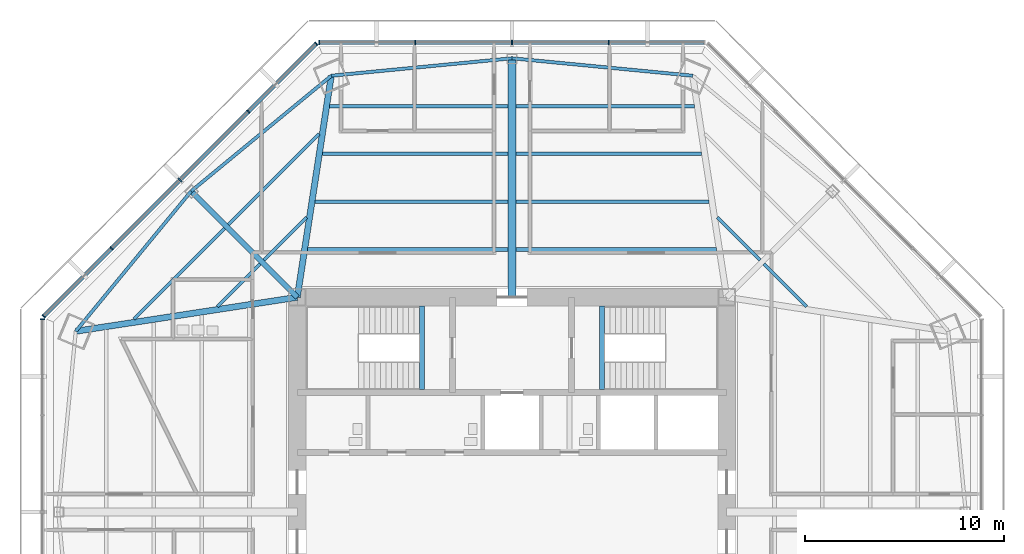
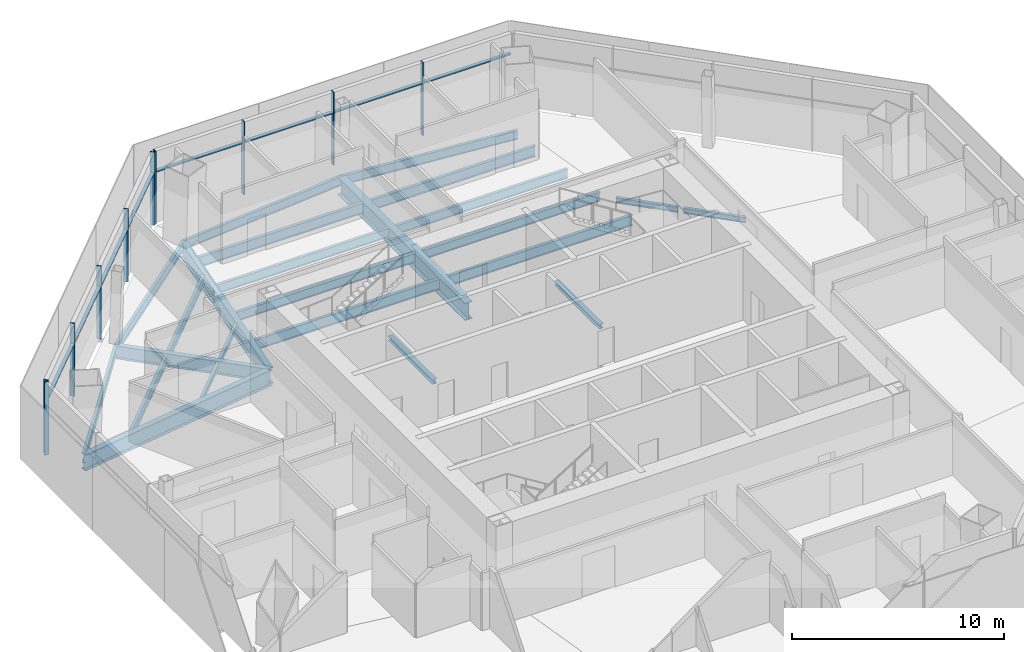
# One storey, part 5 of 15: 24 beams, 18 members, 3 elements without a shape of their own.
"""IFC4 building model written with IfcOpenShell, lengths in metres."""

from ifc_helpers import new_model, si_unit, direction, frame, origin, origin_2d, place, context, subcontext, project, spatial, rectangle, i_section, extrude, source, transform, mapped, material, material_profile, profile_set, type_object, type_shapes, element, aggregate, save


model = new_model("IFC4")

# Units and contexts
model_context = context("Model", 3, precision=1e-05, world=origin(), true_north=direction((0.0, 1.0)))
body_context = subcontext(model_context, "Body", "Model", "MODEL_VIEW")
ifc_project = project(units=[si_unit("LENGTHUNIT", "METRE"), si_unit("AREAUNIT", "SQUARE_METRE"), si_unit("VOLUMEUNIT", "CUBIC_METRE"), si_unit("PLANEANGLEUNIT", "RADIAN"), si_unit("MASSUNIT", "GRAM", prefix="KILO")], contexts=[model_context])

# Site, building, storey
site_placement = place(None, origin())
site = spatial("IfcSite", under=ifc_project, at=site_placement, CompositionType="ELEMENT")
building_placement = place(site_placement, origin())
building = spatial("IfcBuilding", under=site, at=building_placement, Name="Mashrafa Tower", CompositionType="ELEMENT")
storey_placement = place(building_placement, frame((0.0, 0.0, 155.39990234375)))
storey = spatial("IfcBuildingStorey", under=building, at=storey_placement, Name="L35", CompositionType="ELEMENT", Elevation=155.39990234375)

# Beams
ifc_material_1 = material(Name="Steel ASTM A992", Category="steel")
ifc_material_profile_1 = material_profile(ifc_material_1, i_section(OverallWidth=0.164794921875, OverallDepth=0.309814453125, WebThickness=0.005859375, FlangeThickness=0.009765625, FilletRadius=0.007568359375, at=origin_2d()), Name="W12X26")
ifc_profile_set_1 = profile_set([ifc_material_profile_1], Name="Steel ASTM A992")
beam_type_1 = type_object("IfcBeamType", Name="Beam W12X26", PredefinedType="BEAM", material=ifc_profile_set_1)
for number, where, z_axis, x_axis, name in (
    (1, (-14.8203125, 10.338623046875, -0.31982421875), (0.707106781187, 0.707106781187, 0.0), (-0.707106781187, 0.707106781187, 0.0), "Floor beam L35 008"),
    (2, (-12.485107421875, 12.673828125, -0.31982421875), (0.707106781187, 0.707106781187, 0.0), (-0.707106781187, 0.707106781187, 0.0), "Floor beam L35 014"),
    (3, (10.338623046875, 14.8203125, -0.31982421875), (0.707106781187, -0.707106781187, 0.0), (0.707106781187, 0.707106781187, 0.0), "Floor beam L35 033"),
    (4, (12.673828125, 12.485107421875, -0.31982421875), (0.707106781187, -0.707106781187, 0.0), (0.707106781187, 0.707106781187, 0.0), "Floor beam L35 036"),
):
    element("IfcBeam", number, at=place(storey_placement, frame(where, z_axis=z_axis, x_axis=x_axis)), inside=storey, type_object=beam_type_1, Name=name, PredefinedType="BEAM", context=body_context, shape_type="SweptSolid", body=[
        extrude(i_section(OverallWidth=0.164794921875, OverallDepth=0.309814453125, WebThickness=0.005859375, FlangeThickness=0.009765625, FilletRadius=0.007568359375, at=origin_2d()), origin(), (0.0, 0.0, 1.0), 3.03564453125),
    ])
ifc_material_2 = material(Name="Steel ASTM A992", Category="steel")
ifc_material_profile_2 = material_profile(ifc_material_2, i_section(OverallWidth=0.1650390625, OverallDepth=0.52587890625, WebThickness=0.0087890625, FlangeThickness=0.011474609375, FilletRadius=0.0126953125, at=origin_2d()), Name="W21X44")
ifc_profile_set_2 = profile_set([ifc_material_profile_2], Name="Steel ASTM A992")
beam_type_2 = type_object("IfcBeamType", Name="Beam W21X44", PredefinedType="BEAM", material=ifc_profile_set_2)
for number, where, z_axis, x_axis, name in (
    (5, (-19.0244140625, 9.693603515625, -0.427734375), (0.707106781187, 0.707106781187, 0.0), (-0.707106781187, 0.707106781187, 0.0), "Floor beam L35 003"),
    (6, (-14.2646484375, 14.453369140625, -0.427734375), (0.707106781187, 0.707106781187, 0.0), (-0.707106781187, 0.707106781187, 0.0), "Floor beam L35 010"),
):
    element("IfcBeam", number, at=place(storey_placement, frame(where, z_axis=z_axis, x_axis=x_axis)), inside=storey, type_object=beam_type_2, Name=name, PredefinedType="BEAM", context=body_context, shape_type="SweptSolid", body=[
        extrude(i_section(OverallWidth=0.1650390625, OverallDepth=0.52587890625, WebThickness=0.0087890625, FlangeThickness=0.011474609375, FilletRadius=0.0126953125, at=origin_2d()), origin(), (0.0, 0.0, 1.0), 6.46435546875),
    ])
beam_1_placement = place(storey_placement, frame((-9.906494140625, 15.609375, -0.427734375), z_axis=(1.0, 0.0, 0.0), x_axis=(0.0, 1.0, 0.0)))
element("IfcBeam", 7, at=beam_1_placement, inside=storey, type_object=beam_type_2, Name="Floor beam L35 017", PredefinedType="BEAM", context=body_context, shape_type="SweptSolid", body=[
    extrude(i_section(OverallWidth=0.1650390625, OverallDepth=0.52587890625, WebThickness=0.0087890625, FlangeThickness=0.011474609375, FilletRadius=0.0126953125, at=origin_2d()), origin(), (0.0, 0.0, 1.0), 9.705810546875),
])
beam_2_placement = place(storey_placement, frame((-9.53759765625, 18.013916015625, -0.427734375), z_axis=(1.0, 0.0, 0.0), x_axis=(0.0, 1.0, 0.0)))
element("IfcBeam", 8, at=beam_2_placement, inside=storey, type_object=beam_type_2, Name="Floor beam L35 018", PredefinedType="BEAM", context=body_context, shape_type="SweptSolid", body=[
    extrude(i_section(OverallWidth=0.1650390625, OverallDepth=0.52587890625, WebThickness=0.0087890625, FlangeThickness=0.011474609375, FilletRadius=0.0126953125, at=origin_2d()), origin(), (0.0, 0.0, 1.0), 9.3369140625),
])
beam_3_placement = place(storey_placement, frame((0.20068359375, 15.609375, -0.427734375), z_axis=(1.0, 0.0, 0.0), x_axis=(0.0, 1.0, 0.0)))
element("IfcBeam", 9, at=beam_3_placement, inside=storey, type_object=beam_type_2, Name="Floor beam L35 026", PredefinedType="BEAM", context=body_context, shape_type="SweptSolid", body=[
    extrude(i_section(OverallWidth=0.1650390625, OverallDepth=0.52587890625, WebThickness=0.0087890625, FlangeThickness=0.011474609375, FilletRadius=0.0126953125, at=origin_2d()), origin(), (0.0, 0.0, 1.0), 9.705810546875),
])
beam_4_placement = place(storey_placement, frame((0.20068359375, 18.013916015625, -0.427734375), z_axis=(1.0, 0.0, 0.0), x_axis=(0.0, 1.0, 0.0)))
element("IfcBeam", 10, at=beam_4_placement, inside=storey, type_object=beam_type_2, Name="Floor beam L35 027", PredefinedType="BEAM", context=body_context, shape_type="SweptSolid", body=[
    extrude(i_section(OverallWidth=0.1650390625, OverallDepth=0.52587890625, WebThickness=0.0087890625, FlangeThickness=0.011474609375, FilletRadius=0.0126953125, at=origin_2d()), origin(), (0.0, 0.0, 1.0), 9.3369140625),
])
for number, where, z_axis, x_axis, name in (
    (11, (-16.138427734375, 16.138427734375, -0.427734375), (-0.635845929647, -0.771816010297, 0.0), (0.771816010297, -0.635845929647, 0.0), "Spandrel beam L35 069"),
    (12, (-9.090087890625, 21.945068359375, -0.427734375), (-0.771816010297, -0.635845929647, 0.0), (0.635845929647, -0.771816010297, 0.0), "Spandrel beam L35 071"),
):
    element("IfcBeam", number, at=place(storey_placement, frame(where, z_axis=z_axis, x_axis=x_axis)), inside=storey, type_object=beam_type_2, Name=name, PredefinedType="BEAM", context=body_context, shape_type="SweptSolid", body=[
        extrude(i_section(OverallWidth=0.1650390625, OverallDepth=0.52587890625, WebThickness=0.0087890625, FlangeThickness=0.011474609375, FilletRadius=0.0126953125, at=origin_2d()), origin(), (0.0, 0.0, 1.0), 9.132080078125),
    ])
for number, where, z_axis, x_axis, name in (
    (13, (0.0, 22.8232421875, -0.427734375), (-0.995365874736, -0.096160155008, 0.0), (0.096160155008, -0.995365874736, 0.0), "Spandrel beam L35 073"),
    (14, (9.090087890625, 21.945068359375, -0.427734375), (-0.995365874736, 0.096160155008, 0.0), (-0.096160155008, -0.995365874736, 0.0), "Spandrel beam L35 075"),
):
    element("IfcBeam", number, at=place(storey_placement, frame(where, z_axis=z_axis, x_axis=x_axis)), inside=storey, type_object=beam_type_2, Name=name, PredefinedType="BEAM", context=body_context, shape_type="SweptSolid", body=[
        extrude(i_section(OverallWidth=0.1650390625, OverallDepth=0.52587890625, WebThickness=0.0087890625, FlangeThickness=0.011474609375, FilletRadius=0.0126953125, at=origin_2d()), origin(), (0.0, 0.0, 1.0), 9.13232421875),
    ])
ifc_material_3 = material(Name="Steel ASTM A992", Category="steel")
ifc_material_profile_3 = material_profile(ifc_material_3, i_section(OverallWidth=0.177978515625, OverallDepth=0.599365234375, WebThickness=0.010009765625, FlangeThickness=0.012939453125, FilletRadius=0.012939453125, at=origin_2d()), Name="W24X55")
ifc_profile_set_3 = profile_set([ifc_material_profile_3], Name="Steel ASTM A992")
beam_type_3 = type_object("IfcBeamType", Name="Beam W24X55", PredefinedType="BEAM", material=ifc_profile_set_3)
beam_5_placement = place(storey_placement, frame((-10.275634765625, 13.20458984375, -0.464599609375), z_axis=(1.0, 0.0, 0.0), x_axis=(0.0, 1.0, 0.0)))
element("IfcBeam", 15, at=beam_5_placement, inside=storey, type_object=beam_type_3, Name="Floor beam L35 015", PredefinedType="BEAM", context=body_context, shape_type="SweptSolid", body=[
    extrude(i_section(OverallWidth=0.177978515625, OverallDepth=0.599365234375, WebThickness=0.010009765625, FlangeThickness=0.012939453125, FilletRadius=0.012939453125, at=origin_2d()), origin(), (0.0, 0.0, 1.0), 10.074951171875),
])
beam_6_placement = place(storey_placement, frame((-9.168701171875, 20.418701171875, -0.464599609375), z_axis=(1.0, 0.0, 0.0), x_axis=(0.0, 1.0, 0.0)))
element("IfcBeam", 16, at=beam_6_placement, inside=storey, type_object=beam_type_3, Name="Floor beam L35 020", PredefinedType="BEAM", context=body_context, shape_type="SweptSolid", body=[
    extrude(i_section(OverallWidth=0.177978515625, OverallDepth=0.599365234375, WebThickness=0.010009765625, FlangeThickness=0.012939453125, FilletRadius=0.012939453125, at=origin_2d()), origin(), (0.0, 0.0, 1.0), 8.968017578125),
])
beam_7_placement = place(storey_placement, frame((0.20068359375, 13.20458984375, -0.464599609375), z_axis=(1.0, 0.0, 0.0), x_axis=(0.0, 1.0, 0.0)))
element("IfcBeam", 17, at=beam_7_placement, inside=storey, type_object=beam_type_3, Name="Floor beam L35 025", PredefinedType="BEAM", context=body_context, shape_type="SweptSolid", body=[
    extrude(i_section(OverallWidth=0.177978515625, OverallDepth=0.599365234375, WebThickness=0.010009765625, FlangeThickness=0.012939453125, FilletRadius=0.012939453125, at=origin_2d()), origin(), (0.0, 0.0, 1.0), 10.074951171875),
])
beam_8_placement = place(storey_placement, frame((0.20068359375, 20.418701171875, -0.464599609375), z_axis=(1.0, 0.0, 0.0), x_axis=(0.0, 1.0, 0.0)))
element("IfcBeam", 18, at=beam_8_placement, inside=storey, type_object=beam_type_3, Name="Floor beam L35 028", PredefinedType="BEAM", context=body_context, shape_type="SweptSolid", body=[
    extrude(i_section(OverallWidth=0.177978515625, OverallDepth=0.599365234375, WebThickness=0.010009765625, FlangeThickness=0.012939453125, FilletRadius=0.012939453125, at=origin_2d()), origin(), (0.0, 0.0, 1.0), 8.968017578125),
])
ifc_material_4 = material(Name="Steel ASTM A992", Category="steel")
ifc_material_profile_4 = material_profile(ifc_material_4, i_section(OverallWidth=0.2666015625, OverallDepth=0.761962890625, WebThickness=0.014404296875, FlangeThickness=0.021484375, FilletRadius=0.0166015625, at=origin_2d()), Name="W30X116")
ifc_profile_set_4 = profile_set([ifc_material_profile_4], Name="Steel ASTM A992")
beam_type_4 = type_object("IfcBeamType", Name="Beam W30X116", PredefinedType="BEAM", material=ifc_profile_set_4)
beam_9_placement = place(storey_placement, frame((-10.800048828125, 10.800048828125, -0.5458984375), z_axis=(-0.707106781187, 0.707106781187, 0.0), x_axis=(-0.707106781187, -0.707106781187, 0.0)))
element("IfcBeam", 19, at=beam_9_placement, inside=storey, type_object=beam_type_4, Name="Radial girder L35 054", PredefinedType="BEAM", context=body_context, shape_type="SweptSolid", body=[
    extrude(i_section(OverallWidth=0.2666015625, OverallDepth=0.761962890625, WebThickness=0.014404296875, FlangeThickness=0.021484375, FilletRadius=0.0166015625, at=origin_2d()), origin(), (0.0, 0.0, 1.0), 7.549560546875),
])
ifc_material_5 = material(Name="Steel ASTM A992", Category="steel")
ifc_material_profile_5 = material_profile(ifc_material_5, i_section(OverallWidth=0.307373046875, OverallDepth=0.927001953125, WebThickness=0.01953125, FlangeThickness=0.031982421875, FilletRadius=0.01904296875, at=origin_2d()), Name="W36X194")
ifc_profile_set_5 = profile_set([ifc_material_profile_5], Name="Steel ASTM A992")
beam_type_5 = type_object("IfcBeamType", Name="Beam W36X194", PredefinedType="BEAM", material=ifc_profile_set_5)
for number, where, z_axis, x_axis, name in (
    (20, (-10.800048828125, 10.800048828125, -0.62841796875), (-0.988433693942, -0.151653660293, 0.0), (0.151653660293, -0.988433693942, 0.0), "Radial girder L35 053"),
    (21, (-10.800048828125, 10.800048828125, -0.62841796875), (0.151653660293, 0.988433693942, 0.0), (-0.988433693942, 0.151653660293, 0.0), "Radial girder L35 055"),
):
    element("IfcBeam", number, at=place(storey_placement, frame(where, z_axis=z_axis, x_axis=x_axis)), inside=storey, type_object=beam_type_5, Name=name, PredefinedType="BEAM", context=body_context, shape_type="SweptSolid", body=[
        extrude(i_section(OverallWidth=0.307373046875, OverallDepth=0.927001953125, WebThickness=0.01953125, FlangeThickness=0.031982421875, FilletRadius=0.01904296875, at=origin_2d()), origin(), (0.0, 0.0, 1.0), 11.275390625),
    ])
ifc_material_6 = material(Name="Steel ASTM A992", Category="steel")
ifc_material_profile_6 = material_profile(ifc_material_6, i_section(OverallWidth=0.4013671875, OverallDepth=1.010986328125, WebThickness=0.023681640625, FlangeThickness=0.0419921875, FilletRadius=0.02001953125, at=origin_2d()), Name="W40X297")
ifc_profile_set_6 = profile_set([ifc_material_profile_6], Name="Steel ASTM A992")
beam_type_6 = type_object("IfcBeamType", Name="Beam W40X297", PredefinedType="BEAM", material=ifc_profile_set_6)
beam_10_placement = place(storey_placement, frame((0.0, 10.800048828125, -0.67041015625), z_axis=(0.0, 1.0, 0.0), x_axis=(-1.0, 0.0, 0.0)))
element("IfcBeam", 22, at=beam_10_placement, inside=storey, type_object=beam_type_6, Name="Radial girder L35 057", PredefinedType="BEAM", context=body_context, shape_type="SweptSolid", body=[
    extrude(i_section(OverallWidth=0.4013671875, OverallDepth=1.010986328125, WebThickness=0.023681640625, FlangeThickness=0.0419921875, FilletRadius=0.02001953125, at=origin_2d()), origin(), (0.0, 0.0, 1.0), 12.023193359375),
])
ifc_material_7 = material(Name="Steel ASTM A992", Category="steel")
ifc_material_profile_7 = material_profile(ifc_material_7, i_section(OverallWidth=0.25390625, OverallDepth=0.25390625, WebThickness=0.008544921875, FlangeThickness=0.01416015625, FilletRadius=0.010009765625, at=origin_2d()), Name="W10X49")
ifc_profile_set_7 = profile_set([ifc_material_profile_7], Name="Steel ASTM A992")
beam_type_7 = type_object("IfcBeamType", Name="Hoistway beam W10X49", PredefinedType="BEAM", material=ifc_profile_set_7)
for number, where, z_axis, x_axis, name in (
    (23, (-4.530029296875, 6.14990234375, -0.326904296875), (0.0, 1.0, 0.0), (-1.0, 0.0, 0.0), "Stair S1 landing beam L35"),
    (24, (4.530029296875, 6.14990234375, -0.326904296875), (0.0, 1.0, 0.0), (-1.0, 0.0, 0.0), "Stair S2 landing beam L35"),
):
    element("IfcBeam", number, at=place(storey_placement, frame(where, z_axis=z_axis, x_axis=x_axis)), inside=storey, type_object=beam_type_7, Name=name, PredefinedType="BEAM", context=body_context, shape_type="SweptSolid", body=[
        extrude(i_section(OverallWidth=0.25390625, OverallDepth=0.25390625, WebThickness=0.008544921875, FlangeThickness=0.01416015625, FilletRadius=0.010009765625, at=origin_2d()), origin(), (0.0, 0.0, 1.0), 4.2001953125),
    ])

# Curtain wall, members
ifc_material_8 = material(Name="Unitised aluminium curtain wall", Category="aluminium")
curtain_wall_type = type_object("IfcCurtainWallType", Name="Office curtain wall, zone 2 CW-B 225 deep", PredefinedType="NOTDEFINED", material=ifc_material_8)
curtain_wall_1_placement = place(storey_placement, origin())
curtain_wall_1 = element("IfcCurtainWall", 25, at=curtain_wall_1_placement, inside=storey, type_object=curtain_wall_type, Name="Office curtain wall, zone 2 L35 north", PredefinedType="NOTDEFINED")
ifc_material_9 = material(Name="Extruded aluminium mullion", Category="aluminium")
ifc_material_profile_8 = material_profile(ifc_material_9, rectangle(XDim=0.22509765625, YDim=0.06494140625, at=origin_2d()), Name="Mullion 65x225")
ifc_profile_set_8 = profile_set([ifc_material_profile_8], Name="Extruded aluminium mullion")
member_type_1 = type_object("IfcMemberType", Name="Mullion CW-B 65 x 225", PredefinedType="MULLION", material=ifc_profile_set_8)
shared_shape_1 = source(origin(), body_context, "Body", "SweptSolid", [
    extrude(rectangle(XDim=0.22509765625, YDim=0.06494140625, at=origin_2d()), origin(), (0.0, 0.0, 1.0), 4.2001953125),
])
type_shapes(member_type_1, [shared_shape_1])
member_1_placement = place(storey_placement, frame((4.86328125, 23.61865234375, 0.0), z_axis=(0.0, 0.0, 1.0), x_axis=(0.0, -1.0, 0.0)))
member_1 = element("IfcMember", 26, at=member_1_placement, type_object=member_type_1, Name="CW-B mullion 2", PredefinedType="MULLION", context=body_context, shape_type="MappedRepresentation", body=[
    mapped(shared_shape_1, transform((0.0, 0.0, 0.0))),
])
member_2_placement = place(storey_placement, frame((0.0, 23.61865234375, 0.0), z_axis=(0.0, 0.0, 1.0), x_axis=(0.0, -1.0, 0.0)))
member_2 = element("IfcMember", 27, at=member_2_placement, type_object=member_type_1, Name="CW-B mullion 3", PredefinedType="MULLION", context=body_context, shape_type="MappedRepresentation", body=[
    mapped(shared_shape_1, transform((0.0, 0.0, 0.0))),
])
member_3_placement = place(storey_placement, frame((-4.86328125, 23.61865234375, 0.0), z_axis=(0.0, 0.0, 1.0), x_axis=(0.0, -1.0, 0.0)))
member_3 = element("IfcMember", 28, at=member_3_placement, type_object=member_type_1, Name="CW-B mullion 4", PredefinedType="MULLION", context=body_context, shape_type="MappedRepresentation", body=[
    mapped(shared_shape_1, transform((0.0, 0.0, 0.0))),
])
member_4_placement = place(storey_placement, frame((-9.694091796875, 23.61865234375, 0.0), z_axis=(0.0, 0.0, 1.0), x_axis=(0.0, -1.0, 0.0)))
member_4 = element("IfcMember", 29, at=member_4_placement, type_object=member_type_1, Name="CW-B mullion 5", PredefinedType="MULLION", context=body_context, shape_type="MappedRepresentation", body=[
    mapped(shared_shape_1, transform((0.0, 0.0, 0.0))),
])

curtain_wall_2_placement = place(storey_placement, origin())
curtain_wall_2 = element("IfcCurtainWall", 30, at=curtain_wall_2_placement, inside=storey, type_object=curtain_wall_type, Name="Office curtain wall, zone 2 L35 north-west", PredefinedType="NOTDEFINED")
member_5_placement = place(storey_placement, frame((-9.84619140625, 23.5556640625, 0.0), z_axis=(0.0, 0.0, 1.0), x_axis=(0.707106781187, -0.707106781187, 0.0)))
member_5 = element("IfcMember", 31, at=member_5_placement, type_object=member_type_1, Name="CW-B mullion 1", PredefinedType="MULLION", context=body_context, shape_type="MappedRepresentation", body=[
    mapped(shared_shape_1, transform((0.0, 0.0, 0.0))),
])
member_6_placement = place(storey_placement, frame((-13.261962890625, 20.139892578125, 0.0), z_axis=(0.0, 0.0, 1.0), x_axis=(0.707106781187, -0.707106781187, 0.0)))
member_6 = element("IfcMember", 32, at=member_6_placement, type_object=member_type_1, Name="CW-B mullion 2", PredefinedType="MULLION", context=body_context, shape_type="MappedRepresentation", body=[
    mapped(shared_shape_1, transform((0.0, 0.0, 0.0))),
])
member_7_placement = place(storey_placement, frame((-16.700927734375, 16.700927734375, 0.0), z_axis=(0.0, 0.0, 1.0), x_axis=(0.707106781187, -0.707106781187, 0.0)))
member_7 = element("IfcMember", 33, at=member_7_placement, type_object=member_type_1, Name="CW-B mullion 3", PredefinedType="MULLION", context=body_context, shape_type="MappedRepresentation", body=[
    mapped(shared_shape_1, transform((0.0, 0.0, 0.0))),
])
member_8_placement = place(storey_placement, frame((-20.139892578125, 13.261962890625, 0.0), z_axis=(0.0, 0.0, 1.0), x_axis=(0.707106781187, -0.707106781187, 0.0)))
member_8 = element("IfcMember", 34, at=member_8_placement, type_object=member_type_1, Name="CW-B mullion 4", PredefinedType="MULLION", context=body_context, shape_type="MappedRepresentation", body=[
    mapped(shared_shape_1, transform((0.0, 0.0, 0.0))),
])
member_9_placement = place(storey_placement, frame((-23.5556640625, 9.84619140625, 0.0), z_axis=(0.0, 0.0, 1.0), x_axis=(0.707106781187, -0.707106781187, 0.0)))
member_9 = element("IfcMember", 35, at=member_9_placement, type_object=member_type_1, Name="CW-B mullion 5", PredefinedType="MULLION", context=body_context, shape_type="MappedRepresentation", body=[
    mapped(shared_shape_1, transform((0.0, 0.0, 0.0))),
])

# Curtain wall, member
curtain_wall_3_placement = place(storey_placement, origin())
curtain_wall_3 = element("IfcCurtainWall", 36, at=curtain_wall_3_placement, inside=storey, type_object=curtain_wall_type, Name="Office curtain wall, zone 2 L35 west", PredefinedType="NOTDEFINED")
member_10_placement = place(storey_placement, frame((-23.61865234375, 9.694091796875, 0.0), z_axis=(0.0, 0.0, 1.0), x_axis=(1.0, 0.0, 0.0)))
member_10 = element("IfcMember", 37, at=member_10_placement, type_object=member_type_1, Name="CW-B mullion 1", PredefinedType="MULLION", context=body_context, shape_type="MappedRepresentation", body=[
    mapped(shared_shape_1, transform((0.0, 0.0, 0.0))),
])
aggregate(curtain_wall_3, [member_10])

# Member
ifc_material_10 = material(Name="Extruded aluminium transom", Category="aluminium")
ifc_material_profile_9 = material_profile(ifc_material_10, rectangle(XDim=0.179931640625, YDim=0.080078125, at=origin_2d()), Name="Transom 80x180")
ifc_profile_set_9 = profile_set([ifc_material_profile_9], Name="Extruded aluminium transom")
member_type_2 = type_object("IfcMemberType", Name="Transom CW-B 80 x 180", PredefinedType="MULLION", material=ifc_profile_set_9)
shared_shape_2 = source(origin(), body_context, "Body", "SweptSolid", [
    extrude(rectangle(XDim=0.179931640625, YDim=0.080078125, at=origin_2d()), origin(), (0.0, 0.0, 1.0), 4.765869140625),
])
member_11_placement = place(storey_placement, frame((9.66162109375, 23.61865234375, 3.0), z_axis=(-1.0, 0.0, 0.0), x_axis=(0.0, -1.0, 0.0)))
member_11 = element("IfcMember", 38, at=member_11_placement, type_object=member_type_2, Name="CW-B transom 1", PredefinedType="MULLION", context=body_context, shape_type="MappedRepresentation", body=[
    mapped(shared_shape_2, transform((0.0, 0.0, 0.0))),
])

member_12_placement = place(storey_placement, frame((-4.895751953125, 23.61865234375, 3.0), z_axis=(-1.0, 0.0, 0.0), x_axis=(0.0, -1.0, 0.0)))
member_12 = element("IfcMember", 39, at=member_12_placement, type_object=member_type_2, Name="CW-B transom 4", PredefinedType="MULLION", context=body_context, shape_type="MappedRepresentation", body=[
    mapped(shared_shape_2, transform((0.0, 0.0, 0.0))),
])

shared_shape_3 = source(origin(), body_context, "Body", "SweptSolid", [
    extrude(rectangle(XDim=0.179931640625, YDim=0.080078125, at=origin_2d()), origin(), (0.0, 0.0, 1.0), 4.79833984375),
])
member_13_placement = place(storey_placement, frame((4.830810546875, 23.61865234375, 3.0), z_axis=(-1.0, 0.0, 0.0), x_axis=(0.0, -1.0, 0.0)))
member_13 = element("IfcMember", 40, at=member_13_placement, type_object=member_type_2, Name="CW-B transom 2", PredefinedType="MULLION", context=body_context, shape_type="MappedRepresentation", body=[
    mapped(shared_shape_3, transform((0.0, 0.0, 0.0))),
])

member_14_placement = place(storey_placement, frame((-0.032470703125, 23.61865234375, 3.0), z_axis=(-1.0, 0.0, 0.0), x_axis=(0.0, -1.0, 0.0)))
member_14 = element("IfcMember", 41, at=member_14_placement, type_object=member_type_2, Name="CW-B transom 3", PredefinedType="MULLION", context=body_context, shape_type="MappedRepresentation", body=[
    mapped(shared_shape_3, transform((0.0, 0.0, 0.0))),
])

aggregate(curtain_wall_1, [member_1, member_2, member_3, member_4, member_11, member_13, member_14, member_12])

shared_shape_4 = source(origin(), body_context, "Body", "SweptSolid", [
    extrude(rectangle(XDim=0.179931640625, YDim=0.080078125, at=origin_2d()), origin(), (0.0, 0.0, 1.0), 4.765625),
])
member_15_placement = place(storey_placement, frame((-9.869140625, 23.53271484375, 3.0), z_axis=(-0.707106781187, -0.707106781187, 0.0), x_axis=(0.707106781187, -0.707106781187, 0.0)))
member_15 = element("IfcMember", 42, at=member_15_placement, type_object=member_type_2, Name="CW-B transom 1", PredefinedType="MULLION", context=body_context, shape_type="MappedRepresentation", body=[
    mapped(shared_shape_4, transform((0.0, 0.0, 0.0))),
])

member_16_placement = place(storey_placement, frame((-20.162841796875, 13.239013671875, 3.0), z_axis=(-0.707106781187, -0.707106781187, 0.0), x_axis=(0.707106781187, -0.707106781187, 0.0)))
member_16 = element("IfcMember", 43, at=member_16_placement, type_object=member_type_2, Name="CW-B transom 4", PredefinedType="MULLION", context=body_context, shape_type="MappedRepresentation", body=[
    mapped(shared_shape_4, transform((0.0, 0.0, 0.0))),
])

shared_shape_5 = source(origin(), body_context, "Body", "SweptSolid", [
    extrude(rectangle(XDim=0.179931640625, YDim=0.080078125, at=origin_2d()), origin(), (0.0, 0.0, 1.0), 4.798095703125),
])
type_shapes(member_type_2, [shared_shape_2, shared_shape_3, shared_shape_4, shared_shape_5])
member_17_placement = place(storey_placement, frame((-13.28515625, 20.11669921875, 3.0), z_axis=(-0.707106781187, -0.707106781187, 0.0), x_axis=(0.707106781187, -0.707106781187, 0.0)))
member_17 = element("IfcMember", 44, at=member_17_placement, type_object=member_type_2, Name="CW-B transom 2", PredefinedType="MULLION", context=body_context, shape_type="MappedRepresentation", body=[
    mapped(shared_shape_5, transform((0.0, 0.0, 0.0))),
])

member_18_placement = place(storey_placement, frame((-16.723876953125, 16.677978515625, 3.0), z_axis=(-0.707106781187, -0.707106781187, 0.0), x_axis=(0.707106781187, -0.707106781187, 0.0)))
member_18 = element("IfcMember", 45, at=member_18_placement, type_object=member_type_2, Name="CW-B transom 3", PredefinedType="MULLION", context=body_context, shape_type="MappedRepresentation", body=[
    mapped(shared_shape_5, transform((0.0, 0.0, 0.0))),
])

aggregate(curtain_wall_2, [member_5, member_6, member_7, member_8, member_9, member_15, member_17, member_18, member_16])

save(model, "model.ifc")
